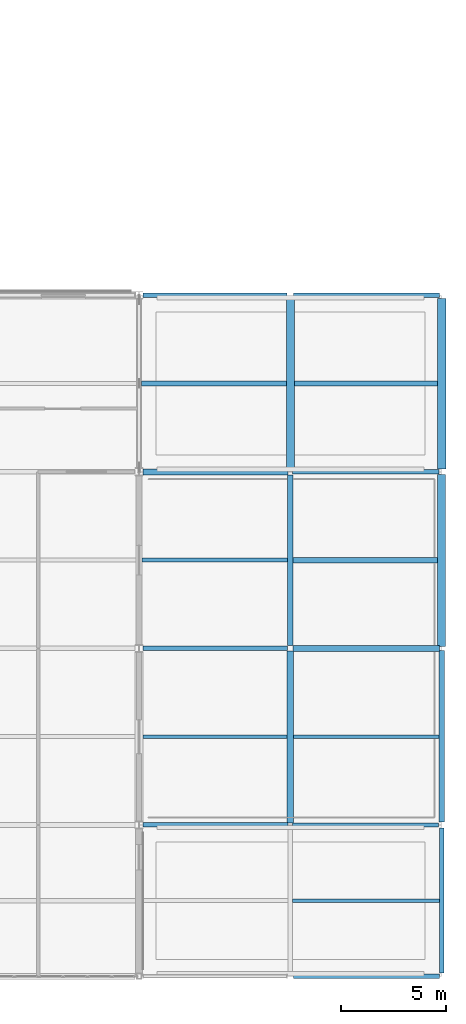
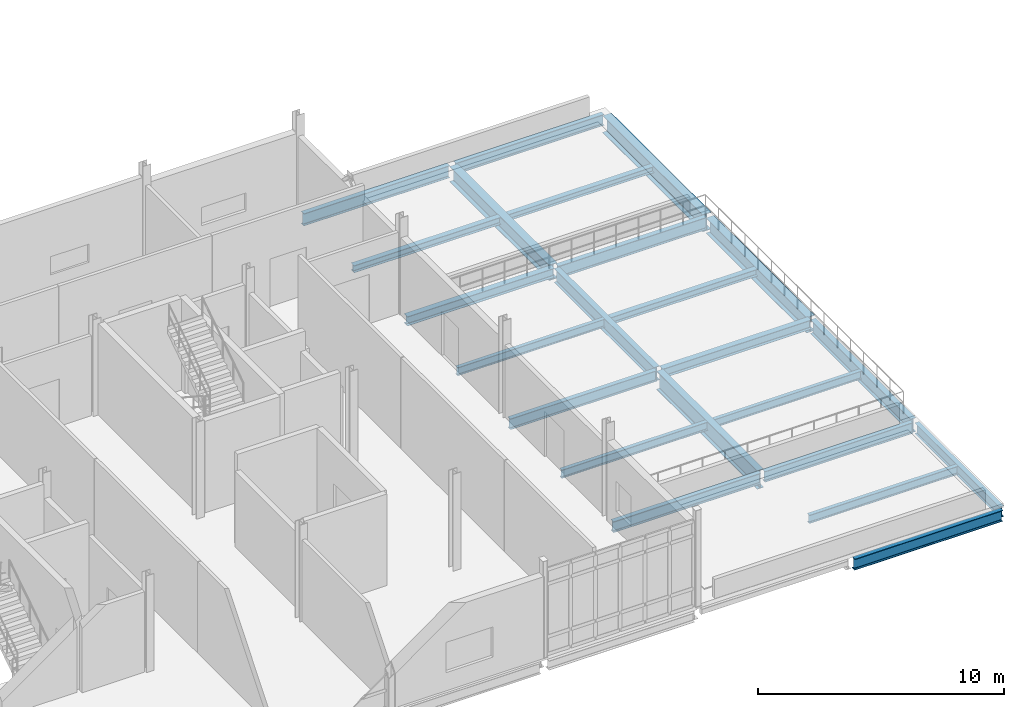
# One storey, part 28 of 72: 23 beams.
"""IFC4 building model written with IfcOpenShell, lengths in metres."""

from ifc_helpers import new_model, si_unit, direction, frame, origin, origin_2d, place, context, subcontext, project, spatial, i_section, extrude, material, material_profile, profile_set, type_object, element, save


model = new_model("IFC4")

# Units and contexts
model_context = context("Model", 3, precision=1e-05, world=origin(), true_north=direction((0.0, 1.0)))
body_context = subcontext(model_context, "Body", "Model", "MODEL_VIEW")
ifc_project = project(units=[si_unit("LENGTHUNIT", "METRE"), si_unit("AREAUNIT", "SQUARE_METRE"), si_unit("VOLUMEUNIT", "CUBIC_METRE"), si_unit("PLANEANGLEUNIT", "RADIAN"), si_unit("MASSUNIT", "GRAM", prefix="KILO")], contexts=[model_context])

# Site, building, storey
site_placement = place(None, origin())
site = spatial("IfcSite", under=ifc_project, at=site_placement, CompositionType="ELEMENT")
building_placement = place(site_placement, origin())
building = spatial("IfcBuilding", under=site, at=building_placement, Name="Calvrana Isthmian Art Gallery", CompositionType="ELEMENT")
storey_placement = place(building_placement, frame((0.0, 0.0, 15.0)))
storey = spatial("IfcBuildingStorey", under=building, at=storey_placement, Name="L03", CompositionType="ELEMENT", Elevation=15.0)

# Beams
ifc_material = material(Name="Steel ASTM A992 Gr 50", Category="steel")
ifc_material_profile_1 = material_profile(ifc_material, i_section(OverallWidth=0.279052734375, OverallDepth=0.4619140625, WebThickness=0.0107421875, FlangeThickness=0.017333984375, FilletRadius=0.02001953125, at=origin_2d()), Name="W18X76")
ifc_profile_set_1 = profile_set([ifc_material_profile_1], Name="Steel ASTM A992 Gr 50")
beam_type_1 = type_object("IfcBeamType", Name="BM-G-W18X76", PredefinedType="BEAM", material=ifc_profile_set_1)
beam_1_placement = place(storey_placement, frame((148.927001953125, 30.0, -0.47607421875), z_axis=(1.0, 0.0, 0.0), x_axis=(0.0, 1.0, 0.0)))
element("IfcBeam", 1, at=beam_1_placement, inside=storey, type_object=beam_type_1, Name="Girder X L03 20-21/E", PredefinedType="BEAM", context=body_context, shape_type="SweptSolid", body=[
    extrude(i_section(OverallWidth=0.279052734375, OverallDepth=0.4619140625, WebThickness=0.0107421875, FlangeThickness=0.017333984375, FilletRadius=0.02001953125, at=origin_2d()), origin(), (0.0, 0.0, 1.0), 6.971435546875),
])
beam_2_placement = place(storey_placement, frame((141.798095703125, 38.39990234375, -0.47607421875), z_axis=(1.0, 0.0, 0.0), x_axis=(0.0, 1.0, 0.0)))
element("IfcBeam", 2, at=beam_2_placement, inside=storey, type_object=beam_type_1, Name="Girder X L03 19-20/F", PredefinedType="BEAM", context=body_context, shape_type="SweptSolid", body=[
    extrude(i_section(OverallWidth=0.279052734375, OverallDepth=0.4619140625, WebThickness=0.0107421875, FlangeThickness=0.017333984375, FilletRadius=0.02001953125, at=origin_2d()), origin(), (0.0, 0.0, 1.0), 6.900390625),
])
ifc_material_profile_2 = material_profile(ifc_material, i_section(OverallWidth=0.208984375, OverallDepth=0.532958984375, WebThickness=0.01025390625, FlangeThickness=0.015625, FilletRadius=0.02099609375, at=origin_2d()), Name="W21X62")
ifc_profile_set_2 = profile_set([ifc_material_profile_2], Name="Steel ASTM A992 Gr 50")
beam_type_2 = type_object("IfcBeamType", Name="BM-G-W21X62", PredefinedType="BEAM", material=ifc_profile_set_2)
beam_3_placement = place(storey_placement, frame((148.901611328125, 21.60009765625, -0.511474609375), z_axis=(1.0, 0.0, 0.0), x_axis=(0.0, 1.0, 0.0)))
element("IfcBeam", 3, at=beam_3_placement, inside=storey, type_object=beam_type_2, Name="Girder X L03 20-21/D", PredefinedType="BEAM", context=body_context, shape_type="SweptSolid", body=[
    extrude(i_section(OverallWidth=0.208984375, OverallDepth=0.532958984375, WebThickness=0.01025390625, FlangeThickness=0.015625, FilletRadius=0.02099609375, at=origin_2d()), origin(), (0.0, 0.0, 1.0), 6.946044921875),
])
beam_4_placement = place(storey_placement, frame((141.797119140625, 30.0, -0.511474609375), z_axis=(1.0, 0.0, 0.0), x_axis=(0.0, 1.0, 0.0)))
element("IfcBeam", 4, at=beam_4_placement, inside=storey, type_object=beam_type_2, Name="Girder X L03 19-20/E", PredefinedType="BEAM", context=body_context, shape_type="SweptSolid", body=[
    extrude(i_section(OverallWidth=0.208984375, OverallDepth=0.532958984375, WebThickness=0.01025390625, FlangeThickness=0.015625, FilletRadius=0.02099609375, at=origin_2d()), origin(), (0.0, 0.0, 1.0), 6.8759765625),
])
beam_5_placement = place(storey_placement, frame((156.0, 14.552490234375, -0.511474609375), z_axis=(0.0, 1.0, 0.0), x_axis=(-1.0, 0.0, 0.0)))
element("IfcBeam", 5, at=beam_5_placement, inside=storey, type_object=beam_type_2, Name="Girder Y L03 21/C-D", PredefinedType="BEAM", context=body_context, shape_type="SweptSolid", body=[
    extrude(i_section(OverallWidth=0.208984375, OverallDepth=0.532958984375, WebThickness=0.01025390625, FlangeThickness=0.015625, FilletRadius=0.02099609375, at=origin_2d()), origin(), (0.0, 0.0, 1.0), 6.89501953125),
])
ifc_material_profile_3 = material_profile(ifc_material, i_section(OverallWidth=0.214111328125, OverallDepth=0.549072265625, WebThickness=0.0146484375, FlangeThickness=0.023681640625, FilletRadius=0.02099609375, at=origin_2d()), Name="W21X93")
ifc_profile_set_3 = profile_set([ifc_material_profile_3], Name="Steel ASTM A992 Gr 50")
beam_type_3 = type_object("IfcBeamType", Name="BM-G-W21X93", PredefinedType="BEAM", material=ifc_profile_set_3)
beam_6_placement = place(storey_placement, frame((148.952392578125, 14.39990234375, -0.51953125), z_axis=(1.0, 0.0, 0.0), x_axis=(0.0, 1.0, 0.0)))
element("IfcBeam", 6, at=beam_6_placement, inside=storey, type_object=beam_type_3, Name="Girder X L03 20-21/C", PredefinedType="BEAM", context=body_context, shape_type="SweptSolid", body=[
    extrude(i_section(OverallWidth=0.214111328125, OverallDepth=0.549072265625, WebThickness=0.0146484375, FlangeThickness=0.023681640625, FilletRadius=0.02099609375, at=origin_2d()), origin(), (0.0, 0.0, 1.0), 6.946044921875),
])
beam_7_placement = place(storey_placement, frame((141.78662109375, 21.60009765625, -0.51953125), z_axis=(1.0, 0.0, 0.0), x_axis=(0.0, 1.0, 0.0)))
element("IfcBeam", 7, at=beam_7_placement, inside=storey, type_object=beam_type_3, Name="Girder X L03 19-20/D", PredefinedType="BEAM", context=body_context, shape_type="SweptSolid", body=[
    extrude(i_section(OverallWidth=0.214111328125, OverallDepth=0.549072265625, WebThickness=0.0146484375, FlangeThickness=0.023681640625, FilletRadius=0.02099609375, at=origin_2d()), origin(), (0.0, 0.0, 1.0), 6.911865234375),
])
beam_8_placement = place(storey_placement, frame((148.952392578125, 46.800048828125, -0.51953125), z_axis=(1.0, 0.0, 0.0), x_axis=(0.0, 1.0, 0.0)))
element("IfcBeam", 8, at=beam_8_placement, inside=storey, type_object=beam_type_3, Name="Girder X L03 20-21/G", PredefinedType="BEAM", context=body_context, shape_type="SweptSolid", body=[
    extrude(i_section(OverallWidth=0.214111328125, OverallDepth=0.549072265625, WebThickness=0.0146484375, FlangeThickness=0.023681640625, FilletRadius=0.02099609375, at=origin_2d()), origin(), (0.0, 0.0, 1.0), 6.946044921875),
])
ifc_material_profile_4 = material_profile(ifc_material, i_section(OverallWidth=0.22802734375, OverallDepth=0.60693359375, WebThickness=0.01123046875, FlangeThickness=0.017333984375, FilletRadius=0.02197265625, at=origin_2d()), Name="W24X76")
ifc_profile_set_4 = profile_set([ifc_material_profile_4], Name="Steel ASTM A992 Gr 50")
beam_type_4 = type_object("IfcBeamType", Name="BM-G-W24X76", PredefinedType="BEAM", material=ifc_profile_set_4)
beam_9_placement = place(storey_placement, frame((148.901611328125, 38.39990234375, -0.548583984375), z_axis=(1.0, 0.0, 0.0), x_axis=(0.0, 1.0, 0.0)))
element("IfcBeam", 9, at=beam_9_placement, inside=storey, type_object=beam_type_4, Name="Girder X L03 20-21/F", PredefinedType="BEAM", context=body_context, shape_type="SweptSolid", body=[
    extrude(i_section(OverallWidth=0.22802734375, OverallDepth=0.60693359375, WebThickness=0.01123046875, FlangeThickness=0.017333984375, FilletRadius=0.02197265625, at=origin_2d()), origin(), (0.0, 0.0, 1.0), 6.971435546875),
])
beam_10_placement = place(storey_placement, frame((141.799560546875, 46.800048828125, -0.548583984375), z_axis=(1.0, 0.0, 0.0), x_axis=(0.0, 1.0, 0.0)))
element("IfcBeam", 10, at=beam_10_placement, inside=storey, type_object=beam_type_4, Name="Girder X L03 19-20/G", PredefinedType="BEAM", context=body_context, shape_type="SweptSolid", body=[
    extrude(i_section(OverallWidth=0.22802734375, OverallDepth=0.60693359375, WebThickness=0.01123046875, FlangeThickness=0.017333984375, FilletRadius=0.02197265625, at=origin_2d()), origin(), (0.0, 0.0, 1.0), 6.84814453125),
])
ifc_material_profile_5 = material_profile(ifc_material, i_section(OverallWidth=0.257080078125, OverallDepth=0.693115234375, WebThickness=0.014404296875, FlangeThickness=0.023681640625, FilletRadius=0.02392578125, at=origin_2d()), Name="W27X114")
ifc_profile_set_5 = profile_set([ifc_material_profile_5], Name="Steel ASTM A992 Gr 50")
beam_type_5 = type_object("IfcBeamType", Name="BM-G-W27X114", PredefinedType="BEAM", material=ifc_profile_set_5)
beam_11_placement = place(storey_placement, frame((148.800048828125, 30.126953125, -0.591552734375), z_axis=(0.0, 1.0, 0.0), x_axis=(-1.0, 0.0, 0.0)))
element("IfcBeam", 11, at=beam_11_placement, inside=storey, type_object=beam_type_5, Name="Girder Y L03 20/E-F", PredefinedType="BEAM", context=body_context, shape_type="SweptSolid", body=[
    extrude(i_section(OverallWidth=0.257080078125, OverallDepth=0.693115234375, WebThickness=0.014404296875, FlangeThickness=0.023681640625, FilletRadius=0.02392578125, at=origin_2d()), origin(), (0.0, 0.0, 1.0), 8.12060546875),
])
beam_12_placement = place(storey_placement, frame((156.0, 21.75244140625, -0.591552734375), z_axis=(0.0, 1.0, 0.0), x_axis=(-1.0, 0.0, 0.0)))
element("IfcBeam", 12, at=beam_12_placement, inside=storey, type_object=beam_type_5, Name="Girder Y L03 21/D-E", PredefinedType="BEAM", context=body_context, shape_type="SweptSolid", body=[
    extrude(i_section(OverallWidth=0.257080078125, OverallDepth=0.693115234375, WebThickness=0.014404296875, FlangeThickness=0.023681640625, FilletRadius=0.02392578125, at=origin_2d()), origin(), (0.0, 0.0, 1.0), 8.14599609375),
])
ifc_material_profile_6 = material_profile(ifc_material, i_section(OverallWidth=0.381103515625, OverallDepth=0.77197265625, WebThickness=0.0166015625, FlangeThickness=0.027099609375, FilletRadius=0.02490234375, at=origin_2d()), Name="W30X173")
ifc_profile_set_6 = profile_set([ifc_material_profile_6], Name="Steel ASTM A992 Gr 50")
beam_type_6 = type_object("IfcBeamType", Name="BM-G-W30X173", PredefinedType="BEAM", material=ifc_profile_set_6)
beam_13_placement = place(storey_placement, frame((148.800048828125, 38.552490234375, -0.631103515625), z_axis=(0.0, 1.0, 0.0), x_axis=(-1.0, 0.0, 0.0)))
element("IfcBeam", 13, at=beam_13_placement, inside=storey, type_object=beam_type_6, Name="Girder Y L03 20/F-G", PredefinedType="BEAM", context=body_context, shape_type="SweptSolid", body=[
    extrude(i_section(OverallWidth=0.381103515625, OverallDepth=0.77197265625, WebThickness=0.0166015625, FlangeThickness=0.027099609375, FilletRadius=0.02490234375, at=origin_2d()), origin(), (0.0, 0.0, 1.0), 8.09521484375),
])
beam_14_placement = place(storey_placement, frame((156.0, 30.1015625, -0.631103515625), z_axis=(0.0, 1.0, 0.0), x_axis=(-1.0, 0.0, 0.0)))
element("IfcBeam", 14, at=beam_14_placement, inside=storey, type_object=beam_type_6, Name="Girder Y L03 21/E-F", PredefinedType="BEAM", context=body_context, shape_type="SweptSolid", body=[
    extrude(i_section(OverallWidth=0.381103515625, OverallDepth=0.77197265625, WebThickness=0.0166015625, FlangeThickness=0.027099609375, FilletRadius=0.02490234375, at=origin_2d()), origin(), (0.0, 0.0, 1.0), 8.17138671875),
])
ifc_material_profile_7 = material_profile(ifc_material, i_section(OverallWidth=0.40087890625, OverallDepth=0.85595703125, WebThickness=0.018310546875, FlangeThickness=0.029296875, FilletRadius=0.02587890625, at=origin_2d()), Name="W33X201")
ifc_profile_set_7 = profile_set([ifc_material_profile_7], Name="Steel ASTM A992 Gr 50")
beam_type_7 = type_object("IfcBeamType", Name="BM-G-W33X201", PredefinedType="BEAM", material=ifc_profile_set_7)
beam_15_placement = place(storey_placement, frame((156.0, 38.527099609375, -0.673095703125), z_axis=(0.0, 1.0, 0.0), x_axis=(-1.0, 0.0, 0.0)))
element("IfcBeam", 15, at=beam_15_placement, inside=storey, type_object=beam_type_7, Name="Girder Y L03 21/F-G", PredefinedType="BEAM", context=body_context, shape_type="SweptSolid", body=[
    extrude(i_section(OverallWidth=0.40087890625, OverallDepth=0.85595703125, WebThickness=0.018310546875, FlangeThickness=0.029296875, FilletRadius=0.02587890625, at=origin_2d()), origin(), (0.0, 0.0, 1.0), 8.12060546875),
])
ifc_material_profile_8 = material_profile(ifc_material, i_section(OverallWidth=0.306884765625, OverallDepth=0.927001953125, WebThickness=0.019287109375, FlangeThickness=0.031982421875, FilletRadius=0.028076171875, at=origin_2d()), Name="W36X194")
ifc_profile_set_8 = profile_set([ifc_material_profile_8], Name="Steel ASTM A992 Gr 50")
beam_type_8 = type_object("IfcBeamType", Name="BM-G-W36X194", PredefinedType="BEAM", material=ifc_profile_set_8)
beam_16_placement = place(storey_placement, frame((148.800048828125, 21.70166015625, -0.70849609375), z_axis=(0.0, 1.0, 0.0), x_axis=(-1.0, 0.0, 0.0)))
element("IfcBeam", 16, at=beam_16_placement, inside=storey, type_object=beam_type_8, Name="Girder Y L03 20/D-E", PredefinedType="BEAM", context=body_context, shape_type="SweptSolid", body=[
    extrude(i_section(OverallWidth=0.306884765625, OverallDepth=0.927001953125, WebThickness=0.019287109375, FlangeThickness=0.031982421875, FilletRadius=0.028076171875, at=origin_2d()), origin(), (0.0, 0.0, 1.0), 8.17138671875),
])
ifc_material_profile_9 = material_profile(ifc_material, i_section(OverallWidth=0.25390625, OverallDepth=0.306884765625, WebThickness=0.0087890625, FlangeThickness=0.0146484375, FilletRadius=0.01611328125, at=origin_2d()), Name="W12X53")
ifc_profile_set_9 = profile_set([ifc_material_profile_9], Name="Steel ASTM A992 Gr 50")
beam_type_9 = type_object("IfcBeamType", Name="BM-J-W12X53", PredefinedType="JOIST", material=ifc_profile_set_9)
beam_17_placement = place(storey_placement, frame((148.990478515625, 42.60009765625, -0.3984375), z_axis=(1.0, 0.0, 0.0), x_axis=(0.0, 1.0, 0.0)))
element("IfcBeam", 17, at=beam_17_placement, inside=storey, type_object=beam_type_9, Name="Composite joist L03 bay 19-05", PredefinedType="JOIST", context=body_context, shape_type="SweptSolid", body=[
    extrude(i_section(OverallWidth=0.25390625, OverallDepth=0.306884765625, WebThickness=0.0087890625, FlangeThickness=0.0146484375, FilletRadius=0.01611328125, at=origin_2d()), origin(), (0.0, 0.0, 1.0), 6.80908203125),
])
ifc_material_profile_10 = material_profile(ifc_material, i_section(OverallWidth=0.25390625, OverallDepth=0.35302734375, WebThickness=0.009521484375, FlangeThickness=0.016357421875, FilletRadius=0.01806640625, at=origin_2d()), Name="W14X61")
ifc_profile_set_10 = profile_set([ifc_material_profile_10], Name="Steel ASTM A992 Gr 50")
beam_type_10 = type_object("IfcBeamType", Name="BM-J-W14X61", PredefinedType="JOIST", material=ifc_profile_set_10)
for number, where, z_axis, x_axis, name in (
    (18, (141.728515625, 42.60009765625, -0.42138671875), (1.0, 0.0, 0.0), (0.0, 1.0, 0.0), "Composite joist L03 bay 18-05"),
    (19, (148.928466796875, 34.199951171875, -0.42138671875), (1.0, 0.0, 0.0), (0.0, 1.0, 0.0), "Composite joist L03 bay 19-04"),
):
    element("IfcBeam", number, at=place(storey_placement, frame(where, z_axis=z_axis, x_axis=x_axis)), inside=storey, type_object=beam_type_10, Name=name, PredefinedType="JOIST", context=body_context, shape_type="SweptSolid", body=[
        extrude(i_section(OverallWidth=0.25390625, OverallDepth=0.35302734375, WebThickness=0.009521484375, FlangeThickness=0.016357421875, FilletRadius=0.01806640625, at=origin_2d()), origin(), (0.0, 0.0, 1.0), 6.881103515625),
    ])
ifc_material_profile_11 = material_profile(ifc_material, i_section(OverallWidth=0.177978515625, OverallDepth=0.404052734375, WebThickness=0.007568359375, FlangeThickness=0.010986328125, FilletRadius=0.01806640625, at=origin_2d()), Name="W16X36")
ifc_profile_set_11 = profile_set([ifc_material_profile_11], Name="Steel ASTM A992 Gr 50")
beam_type_11 = type_object("IfcBeamType", Name="BM-J-W16X36", PredefinedType="JOIST", material=ifc_profile_set_11)
for number, where, z_axis, x_axis, name in (
    (20, (141.75341796875, 34.199951171875, -0.447021484375), (1.0, 0.0, 0.0), (0.0, 1.0, 0.0), "Composite joist L03 bay 18-04"),
    (21, (148.95361328125, 25.800048828125, -0.447021484375), (1.0, 0.0, 0.0), (0.0, 1.0, 0.0), "Composite joist L03 bay 19-03"),
):
    element("IfcBeam", number, at=place(storey_placement, frame(where, z_axis=z_axis, x_axis=x_axis)), inside=storey, type_object=beam_type_11, Name=name, PredefinedType="JOIST", context=body_context, shape_type="SweptSolid", body=[
        extrude(i_section(OverallWidth=0.177978515625, OverallDepth=0.404052734375, WebThickness=0.007568359375, FlangeThickness=0.010986328125, FilletRadius=0.01806640625, at=origin_2d()), origin(), (0.0, 0.0, 1.0), 6.91796875),
    ])
ifc_material_profile_12 = material_profile(ifc_material, i_section(OverallWidth=0.179931640625, OverallDepth=0.4140625, WebThickness=0.009765625, FlangeThickness=0.01611328125, FilletRadius=0.01806640625, at=origin_2d()), Name="W16X50")
ifc_profile_set_12 = profile_set([ifc_material_profile_12], Name="Steel ASTM A992 Gr 50")
beam_type_12 = type_object("IfcBeamType", Name="BM-J-W16X50", PredefinedType="JOIST", material=ifc_profile_set_12)
beam_18_placement = place(storey_placement, frame((141.800537109375, 25.800048828125, -0.451904296875), z_axis=(1.0, 0.0, 0.0), x_axis=(0.0, 1.0, 0.0)))
element("IfcBeam", 22, at=beam_18_placement, inside=storey, type_object=beam_type_12, Name="Composite joist L03 bay 18-03", PredefinedType="JOIST", context=body_context, shape_type="SweptSolid", body=[
    extrude(i_section(OverallWidth=0.179931640625, OverallDepth=0.4140625, WebThickness=0.009765625, FlangeThickness=0.01611328125, FilletRadius=0.01806640625, at=origin_2d()), origin(), (0.0, 0.0, 1.0), 6.845947265625),
])
beam_19_placement = place(storey_placement, frame((148.9140625, 18.0, -0.451904296875), z_axis=(1.0, 0.0, 0.0), x_axis=(0.0, 1.0, 0.0)))
element("IfcBeam", 23, at=beam_19_placement, inside=storey, type_object=beam_type_12, Name="Composite joist L03 bay 19-02", PredefinedType="JOIST", context=body_context, shape_type="SweptSolid", body=[
    extrude(i_section(OverallWidth=0.179931640625, OverallDepth=0.4140625, WebThickness=0.009765625, FlangeThickness=0.01611328125, FilletRadius=0.01806640625, at=origin_2d()), origin(), (0.0, 0.0, 1.0), 6.9814453125),
])

save(model, "model.ifc")
